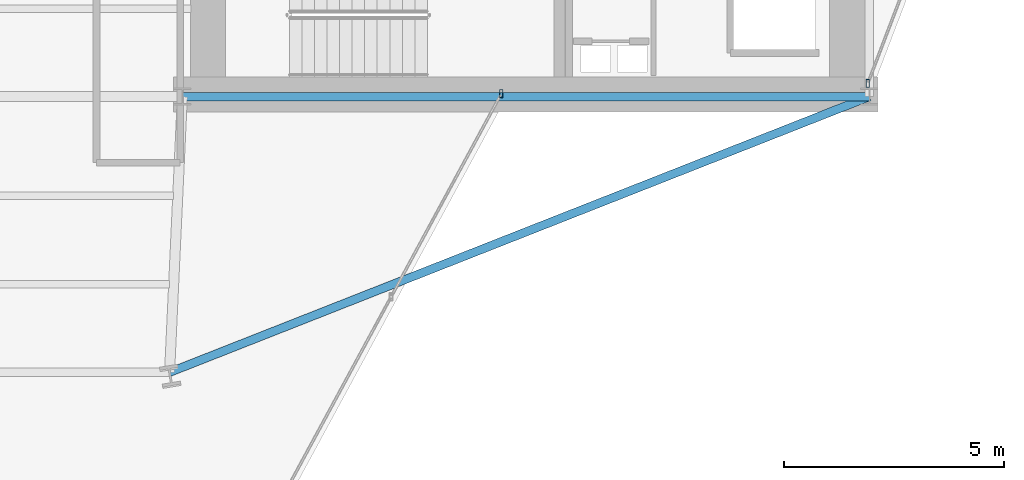
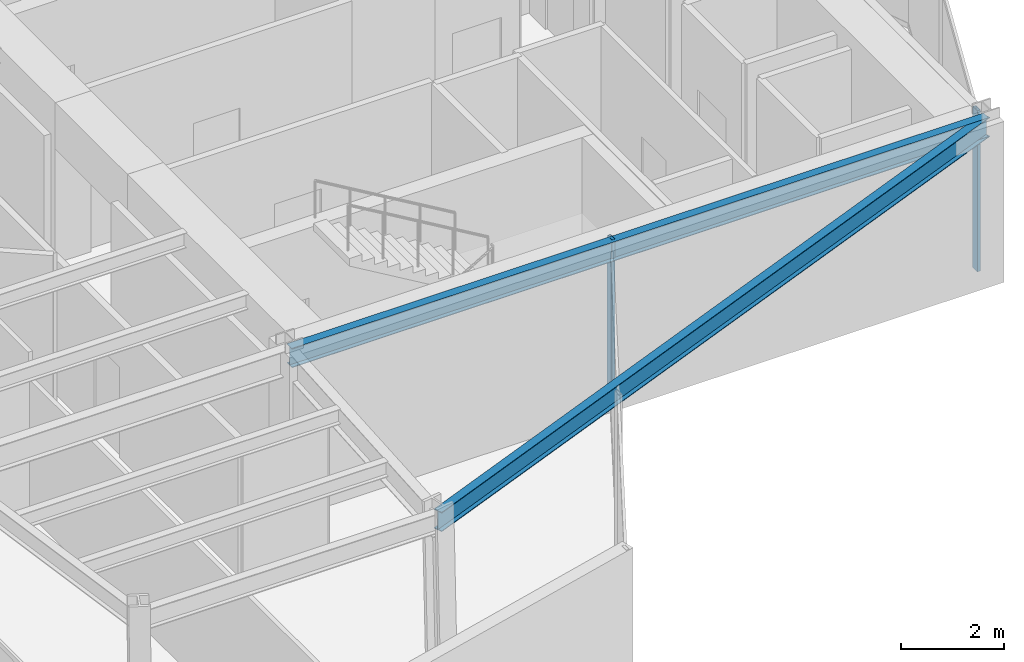
# One storey, part 14 of 26: 2 beams, 2 members, 2 elements without a shape of their own.
"""IFC4 building model written with IfcOpenShell, lengths in metres."""

from ifc_helpers import new_model, si_unit, direction, frame, origin, origin_2d, place, context, subcontext, project, spatial, hollow_rectangle, i_section, extrude, material, layer, layer_set, material_profile, profile_set, type_object, element, aggregate, save


model = new_model("IFC4")

# Units and contexts
model_context = context("Model", 3, precision=1e-05, world=origin(), true_north=direction((0.0, 1.0)))
body_context = subcontext(model_context, "Body", "Model", "MODEL_VIEW")
ifc_project = project(units=[si_unit("LENGTHUNIT", "METRE"), si_unit("AREAUNIT", "SQUARE_METRE"), si_unit("VOLUMEUNIT", "CUBIC_METRE"), si_unit("PLANEANGLEUNIT", "RADIAN"), si_unit("MASSUNIT", "GRAM", prefix="KILO")], contexts=[model_context])

# Site, building, storey
site_placement = place(None, origin())
site = spatial("IfcSite", under=ifc_project, at=site_placement, CompositionType="ELEMENT")
building_placement = place(site_placement, origin())
building = spatial("IfcBuilding", under=site, at=building_placement, Name="Veymaron Broadcast Tower", CompositionType="ELEMENT")
storey_placement = place(building_placement, frame((0.0, 0.0, 157.35009765625)))
storey = spatial("IfcBuildingStorey", under=building, at=storey_placement, Name="L36", CompositionType="ELEMENT", Elevation=157.35009765625)

# Beams
ifc_material_1 = material(Name="Structural steel ASTM A992 Gr 50", Category="steel")
ifc_material_profile_1 = material_profile(ifc_material_1, i_section(OverallWidth=0.19091796875, OverallDepth=0.4599609375, WebThickness=0.010009765625, FlangeThickness=0.01611328125, at=origin_2d()), Name="W460X82")
ifc_profile_set_1 = profile_set([ifc_material_profile_1], Name="Structural steel ASTM A992 Gr 50")
beam_type = type_object("IfcBeamType", Name="BM-SP1", PredefinedType="SPANDREL", material=ifc_profile_set_1)
beam_1_placement = place(storey_placement, frame((39.0, 16.0, 3.579833984375), z_axis=(1.0, 0.0, 0.0), x_axis=(0.0, 1.0, 0.0)))
element("IfcBeam", 1, at=beam_1_placement, inside=storey, type_object=beam_type, Name="L36 primary structural floor girder", PredefinedType="SPANDREL", context=body_context, shape_type="SweptSolid", body=[
    extrude(i_section(OverallWidth=0.19091796875, OverallDepth=0.4599609375, WebThickness=0.010009765625, FlangeThickness=0.01611328125, at=origin_2d()), origin(), (0.0, 0.0, 1.0), 15.60009765625),
])
beam_2_placement = place(storey_placement, frame((54.60009765625, 16.0, 3.579833984375), z_axis=(-0.930403222441, -0.366537642913, 0.0), x_axis=(0.366537642913, -0.930403222441, 0.0)))
element("IfcBeam", 2, at=beam_2_placement, inside=storey, type_object=beam_type, Name="L36 primary structural floor girder", PredefinedType="SPANDREL", context=body_context, shape_type="SweptSolid", body=[
    extrude(i_section(OverallWidth=0.19091796875, OverallDepth=0.4599609375, WebThickness=0.010009765625, FlangeThickness=0.01611328125, at=origin_2d()), origin(), (0.0, 0.0, 1.0), 17.078857421875),
])

# Curtain wall, member
ifc_material_2 = material(Name="Anodised aluminium AA 6063-T6 and laminated low-E dark glass", Category="aluminium")
ifc_layer = layer(ifc_material_2, 0.179931640625)
ifc_layer_set = layer_set([ifc_layer], Name="Anodised aluminium AA 6063-T6 and laminated low-E dark glass")
curtain_wall_type = type_object("IfcCurtainWallType", Name="CW-SYS-03", PredefinedType="NOTDEFINED", material=ifc_layer_set)
curtain_wall_1_placement = place(storey_placement, origin())
curtain_wall_1 = element("IfcCurtainWall", 3, at=curtain_wall_1_placement, inside=storey, type_object=curtain_wall_type, Name="L36 dark-glass curtain wall CW-L36-E2-1", PredefinedType="NOTDEFINED")
ifc_material_3 = material(Name="Anodised aluminium AA 6063-T6", Category="aluminium")
ifc_material_profile_2 = material_profile(ifc_material_3, hollow_rectangle(XDim=0.074951171875, YDim=0.179931640625, WallThickness=0.0048828125, at=origin_2d()), Name="AL180X75X5")
ifc_profile_set_2 = profile_set([ifc_material_profile_2], Name="Anodised aluminium AA 6063-T6")
member_type = type_object("IfcMemberType", Name="CW-MUL-02", PredefinedType="MULLION", material=ifc_profile_set_2)
member_1_placement = place(storey_placement, frame((54.5654296875, 16.302001953125, 0.0), z_axis=(0.0, 0.0, 1.0), x_axis=(1.0, 0.0, 0.0)))
member_1 = element("IfcMember", 4, at=member_1_placement, type_object=member_type, Name="CW-L36-E2-1 mullion 0", PredefinedType="MULLION", context=body_context, shape_type="SweptSolid", body=[
    extrude(hollow_rectangle(XDim=0.074951171875, YDim=0.179931640625, WallThickness=0.0048828125, at=origin_2d()), origin(), (0.0, 0.0, 1.0), 3.809814453125),
])
aggregate(curtain_wall_1, [member_1])

curtain_wall_2_placement = place(storey_placement, origin())
curtain_wall_2 = element("IfcCurtainWall", 5, at=curtain_wall_2_placement, inside=storey, type_object=curtain_wall_type, Name="L36 dark-glass curtain wall CW-L36-E20-1", PredefinedType="NOTDEFINED")
member_2_placement = place(storey_placement, frame((46.242919921875, 16.06689453125, 0.0), z_axis=(0.0, 0.0, 1.0), x_axis=(1.0, 0.0, 0.0)))
member_2 = element("IfcMember", 6, at=member_2_placement, type_object=member_type, Name="CW-L36-E20-1 mullion 2", PredefinedType="MULLION", context=body_context, shape_type="SweptSolid", body=[
    extrude(hollow_rectangle(XDim=0.074951171875, YDim=0.179931640625, WallThickness=0.0048828125, at=origin_2d()), origin(), (0.0, 0.0, 1.0), 3.809814453125),
])
aggregate(curtain_wall_2, [member_2])

save(model, "model.ifc")
